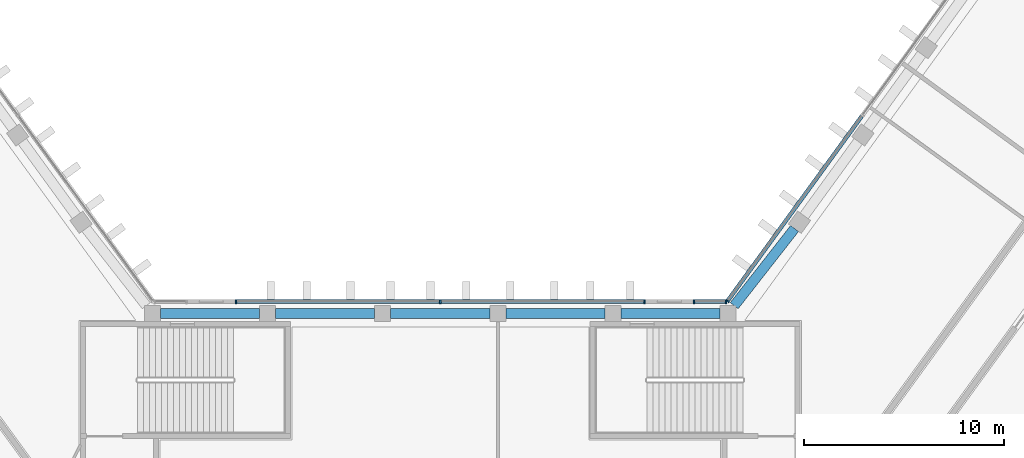
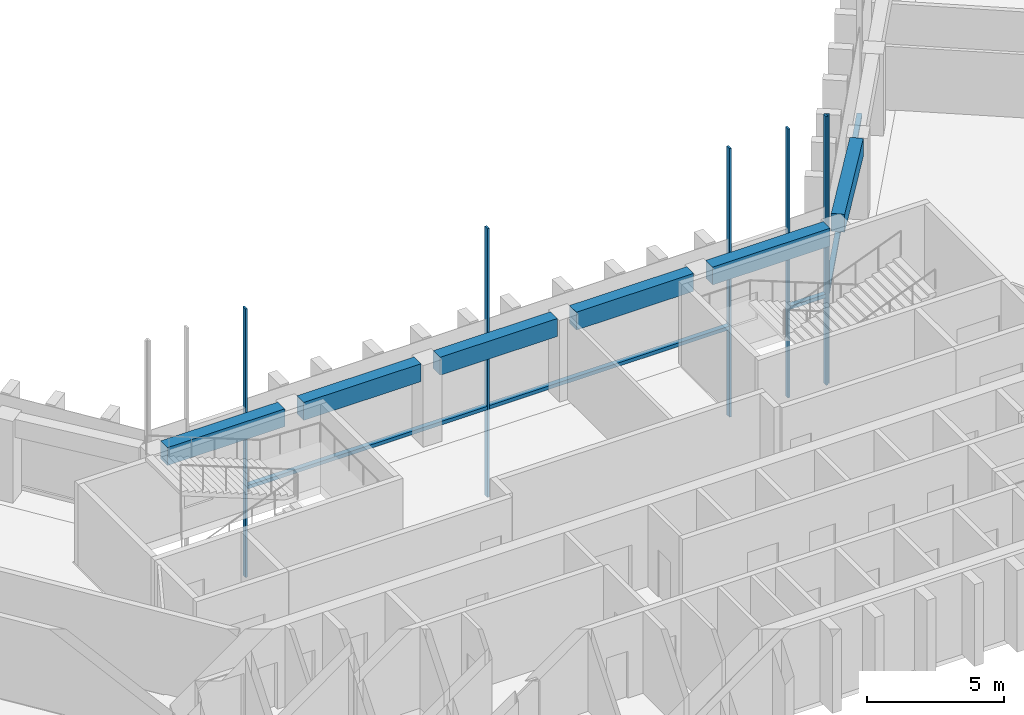
# One storey, part 3 of 13: 10 members, 6 beams, 3 elements without a shape of their own.
"""IFC4 building model written with IfcOpenShell, lengths in metres."""

from ifc_helpers import new_model, si_unit, direction, frame, origin, origin_2d, place, context, subcontext, project, spatial, rectangle, extrude, material, material_profile, profile_set, type_object, element, aggregate, save


model = new_model("IFC4")

# Units and contexts
model_context = context("Model", 3, precision=1e-05, world=origin(), true_north=direction((0.0, 1.0)))
body_context = subcontext(model_context, "Body", "Model", "MODEL_VIEW")
ifc_project = project(units=[si_unit("LENGTHUNIT", "METRE"), si_unit("AREAUNIT", "SQUARE_METRE"), si_unit("VOLUMEUNIT", "CUBIC_METRE"), si_unit("PLANEANGLEUNIT", "RADIAN"), si_unit("MASSUNIT", "GRAM", prefix="KILO")], contexts=[model_context])

# Site, building, storey
site_placement = place(None, origin())
site = spatial("IfcSite", under=ifc_project, at=site_placement, CompositionType="ELEMENT")
building_placement = place(site_placement, origin())
building = spatial("IfcBuilding", under=site, at=building_placement, Name="Quipu Civic Tower", CompositionType="ELEMENT")
storey_placement = place(building_placement, frame((0.0, 0.0, 172.0)))
storey = spatial("IfcBuildingStorey", under=building, at=storey_placement, Name="L40", CompositionType="ELEMENT", Elevation=172.0)

# Curtain wall, member
ifc_material_1 = material(Name="Insulated glass unit", Category="glass")
curtain_wall_type = type_object("IfcCurtainWallType", Name="Office curtain wall CW1", PredefinedType="NOTDEFINED", material=ifc_material_1)
curtain_wall_1_placement = place(storey_placement, origin())
curtain_wall_1 = element("IfcCurtainWall", 1, at=curtain_wall_1_placement, inside=storey, type_object=curtain_wall_type, Name="Office curtain wall CW1 L39 run 30", PredefinedType="NOTDEFINED")
ifc_material_2 = material(Name="Anodised aluminium", Category="aluminium")
ifc_material_profile_1 = material_profile(ifc_material_2, rectangle(XDim=0.199951171875, YDim=0.080078125, at=origin_2d()), Name="RECT 200x80")
ifc_profile_set_1 = profile_set([ifc_material_profile_1], Name="Anodised aluminium")
member_type_1 = type_object("IfcMemberType", Name="Mullion CW1", PredefinedType="MULLION", material=ifc_profile_set_1)
member_1_placement = place(storey_placement, frame((14.36767578125, 11.13232421875, -3.919921875), z_axis=(0.0, 0.0, 1.0), x_axis=(0.809014469803, -0.587788727052, 0.0)))
member_1 = element("IfcMember", 2, at=member_1_placement, type_object=member_type_1, Name="CW1 mullion 3", PredefinedType="MULLION", context=body_context, shape_type="SweptSolid", body=[
    extrude(rectangle(XDim=0.199951171875, YDim=0.080078125, at=origin_2d()), origin(), (0.0, 0.0, 1.0), 12.0),
])

# Curtain wall, members
curtain_wall_2_placement = place(storey_placement, origin())
curtain_wall_2 = element("IfcCurtainWall", 3, at=curtain_wall_2_placement, inside=storey, type_object=curtain_wall_type, Name="Office curtain wall CW1 L39 run 31", PredefinedType="NOTDEFINED")
member_2_placement = place(storey_placement, frame((14.30419921875, 11.10009765625, -3.919921875), z_axis=(0.0, 0.0, 1.0), x_axis=(0.0, -1.0, 0.0)))
member_2 = element("IfcMember", 4, at=member_2_placement, type_object=member_type_1, Name="CW1 mullion 1", PredefinedType="MULLION", context=body_context, shape_type="SweptSolid", body=[
    extrude(rectangle(XDim=0.199951171875, YDim=0.080078125, at=origin_2d()), origin(), (0.0, 0.0, 1.0), 12.0),
])
member_3_placement = place(storey_placement, frame((12.695068359375, 11.10009765625, -3.919921875), z_axis=(0.0, 0.0, 1.0), x_axis=(0.0, -1.0, 0.0)))
member_3 = element("IfcMember", 5, at=member_3_placement, type_object=member_type_1, Name="CW1 mullion 2", PredefinedType="MULLION", context=body_context, shape_type="SweptSolid", body=[
    extrude(rectangle(XDim=0.199951171875, YDim=0.080078125, at=origin_2d()), origin(), (0.0, 0.0, 1.0), 12.0),
])

curtain_wall_3_placement = place(storey_placement, origin())
curtain_wall_3 = element("IfcCurtainWall", 6, at=curtain_wall_3_placement, inside=storey, type_object=curtain_wall_type, Name="Office curtain wall CW1 L39 run 33", PredefinedType="NOTDEFINED")
member_4_placement = place(storey_placement, frame((10.223388671875, 11.10009765625, -3.919921875), z_axis=(0.0, 0.0, 1.0), x_axis=(0.0, -1.0, 0.0)))
member_4 = element("IfcMember", 7, at=member_4_placement, type_object=member_type_1, Name="CW1 mullion 1", PredefinedType="MULLION", context=body_context, shape_type="SweptSolid", body=[
    extrude(rectangle(XDim=0.199951171875, YDim=0.080078125, at=origin_2d()), origin(), (0.0, 0.0, 1.0), 12.0),
])
member_5_placement = place(storey_placement, frame((0.0, 11.10009765625, -3.919921875), z_axis=(0.0, 0.0, 1.0), x_axis=(0.0, -1.0, 0.0)))
member_5 = element("IfcMember", 8, at=member_5_placement, type_object=member_type_1, Name="CW1 mullion 2", PredefinedType="MULLION", context=body_context, shape_type="SweptSolid", body=[
    extrude(rectangle(XDim=0.199951171875, YDim=0.080078125, at=origin_2d()), origin(), (0.0, 0.0, 1.0), 12.0),
])
member_6_placement = place(storey_placement, frame((-10.223388671875, 11.10009765625, -3.919921875), z_axis=(0.0, 0.0, 1.0), x_axis=(0.0, -1.0, 0.0)))
member_6 = element("IfcMember", 9, at=member_6_placement, type_object=member_type_1, Name="CW1 mullion 3", PredefinedType="MULLION", context=body_context, shape_type="SweptSolid", body=[
    extrude(rectangle(XDim=0.199951171875, YDim=0.080078125, at=origin_2d()), origin(), (0.0, 0.0, 1.0), 12.0),
])

# Beams
ifc_material_3 = material(Name="Concrete C50/60", Category="concrete")
ifc_material_profile_2 = material_profile(ifc_material_3, rectangle(XDim=0.5, YDim=0.800048828125, at=origin_2d()), Name="RC500x800")
ifc_profile_set_2 = profile_set([ifc_material_profile_2], Name="Concrete C50/60")
beam_type = type_object("IfcBeamType", Name="Spandrel beam RC 500x800 C50/60", PredefinedType="SPANDREL", material=ifc_profile_set_2)
beam_placement = place(storey_placement, frame((17.72705078125, 14.759765625, 3.25), z_axis=(-0.616090612932, -0.787675286306, 0.0), x_axis=(0.787675286306, -0.616090612932, 0.0)))
element("IfcBeam", 10, at=beam_placement, inside=storey, type_object=beam_type, Name="Spandrel beam L40 E-IN-01 to J-Ei.0", PredefinedType="SPANDREL", context=body_context, shape_type="SweptSolid", body=[
    extrude(rectangle(XDim=0.5, YDim=0.800048828125, at=origin_2d()), origin(), (0.0, 0.0, 1.0), 4.900390625),
])
for number, where, z_axis, x_axis, name in (
    (11, (13.9951171875, 10.5, 3.25), (-1.0, 0.0, 0.0), (0.0, -1.0, 0.0), "Spandrel beam L40 J-Ei.0 to FRONT-01"),
    (12, (8.237060546875, 10.5, 3.25), (-1.0, 0.0, 0.0), (0.0, -1.0, 0.0), "Spandrel beam L40 FRONT-01 to FRONT-02"),
    (13, (2.47900390625, 10.5, 3.25), (-1.0, 0.0, 0.0), (0.0, -1.0, 0.0), "Spandrel beam L40 FRONT-02 to FRONT-03"),
    (14, (-3.279052734375, 10.5, 3.25), (-1.0, 0.0, 0.0), (0.0, -1.0, 0.0), "Spandrel beam L40 FRONT-03 to FRONT-04"),
    (15, (-9.037109375, 10.5, 3.25), (-1.0, 0.0, 0.0), (0.0, -1.0, 0.0), "Spandrel beam L40 FRONT-04 to J-Wi.0"),
):
    element("IfcBeam", number, at=place(storey_placement, frame(where, z_axis=z_axis, x_axis=x_axis)), inside=storey, type_object=beam_type, Name=name, PredefinedType="SPANDREL", context=body_context, shape_type="SweptSolid", body=[
        extrude(rectangle(XDim=0.5, YDim=0.800048828125, at=origin_2d()), origin(), (0.0, 0.0, 1.0), 4.9580078125),
    ])

# Member
ifc_material_4 = material(Name="Anodised aluminium", Category="aluminium")
ifc_material_profile_3 = material_profile(ifc_material_4, rectangle(XDim=0.199951171875, YDim=0.159912109375, at=origin_2d()), Name="RECT 200x160")
ifc_profile_set_3 = profile_set([ifc_material_profile_3], Name="Anodised aluminium")
member_type_2 = type_object("IfcMemberType", Name="Transom CW1", PredefinedType="USERDEFINED", material=ifc_profile_set_3)
member_7_placement = place(storey_placement, frame((21.09326171875, 20.38916015625, 0.080078125), z_axis=(-0.587799878401, -0.809006367683, 0.0), x_axis=(0.809006367683, -0.587799878401, 0.0)))
member_7 = element("IfcMember", 16, at=member_7_placement, type_object=member_type_2, Name="CW1 transom 2.2", ObjectType="TRANSOM", PredefinedType="USERDEFINED", context=body_context, shape_type="SweptSolid", body=[
    extrude(rectangle(XDim=0.199951171875, YDim=0.159912109375, at=origin_2d()), origin(), (0.0, 0.0, 1.0), 11.402099609375),
])

aggregate(curtain_wall_1, [member_1, member_7])

member_8_placement = place(storey_placement, frame((14.26416015625, 11.10009765625, 0.080078125), z_axis=(-1.0, 0.0, 0.0), x_axis=(0.0, -1.0, 0.0)))
member_8 = element("IfcMember", 17, at=member_8_placement, type_object=member_type_2, Name="CW1 transom 1.2", ObjectType="TRANSOM", PredefinedType="USERDEFINED", context=body_context, shape_type="SweptSolid", body=[
    extrude(rectangle(XDim=0.199951171875, YDim=0.159912109375, at=origin_2d()), origin(), (0.0, 0.0, 1.0), 1.529052734375),
])

aggregate(curtain_wall_2, [member_2, member_3, member_8])

member_9_placement = place(storey_placement, frame((10.18359375, 11.10009765625, 0.080078125), z_axis=(-1.0, 0.0, 0.0), x_axis=(0.0, -1.0, 0.0)))
member_9 = element("IfcMember", 18, at=member_9_placement, type_object=member_type_2, Name="CW1 transom 1.2", ObjectType="TRANSOM", PredefinedType="USERDEFINED", context=body_context, shape_type="SweptSolid", body=[
    extrude(rectangle(XDim=0.199951171875, YDim=0.159912109375, at=origin_2d()), origin(), (0.0, 0.0, 1.0), 10.1435546875),
])

member_10_placement = place(storey_placement, frame((-0.0400390625, 11.10009765625, 0.080078125), z_axis=(-1.0, 0.0, 0.0), x_axis=(0.0, -1.0, 0.0)))
member_10 = element("IfcMember", 19, at=member_10_placement, type_object=member_type_2, Name="CW1 transom 2.2", ObjectType="TRANSOM", PredefinedType="USERDEFINED", context=body_context, shape_type="SweptSolid", body=[
    extrude(rectangle(XDim=0.199951171875, YDim=0.159912109375, at=origin_2d()), origin(), (0.0, 0.0, 1.0), 10.1435546875),
])

aggregate(curtain_wall_3, [member_4, member_5, member_6, member_9, member_10])

save(model, "model.ifc")
